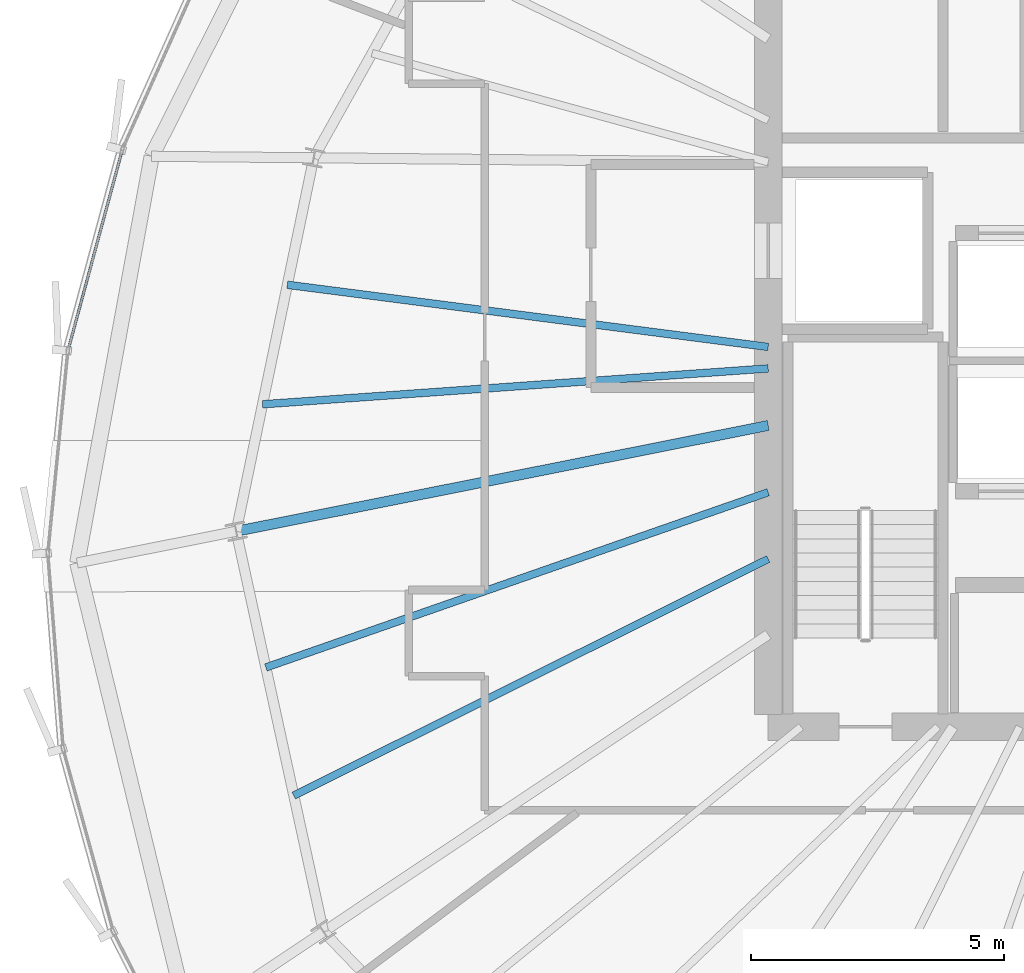
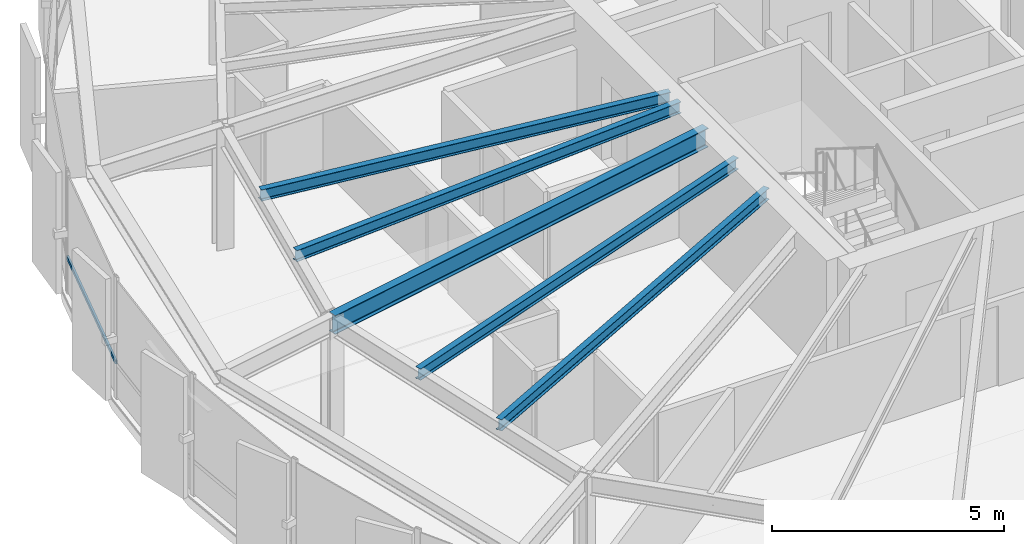
# One storey, part 9 of 34: 5 beams, 1 member, 1 element without a shape of its own.
"""IFC4 building model written with IfcOpenShell, lengths in metres."""

from ifc_helpers import new_model, si_unit, direction, frame, origin, origin_2d, place, context, subcontext, project, spatial, hollow_rectangle, i_section, extrude, source, transform, mapped, material, layer, layer_set, material_profile, profile_set, type_object, element, aggregate, save


model = new_model("IFC4")

# Units and contexts
model_context = context("Model", 3, precision=1e-05, world=origin(), true_north=direction((0.0, 1.0)))
body_context = subcontext(model_context, "Body", "Model", "MODEL_VIEW")
ifc_project = project(units=[si_unit("LENGTHUNIT", "METRE"), si_unit("AREAUNIT", "SQUARE_METRE"), si_unit("VOLUMEUNIT", "CUBIC_METRE"), si_unit("PLANEANGLEUNIT", "RADIAN"), si_unit("MASSUNIT", "GRAM", prefix="KILO"), si_unit("THERMODYNAMICTEMPERATUREUNIT", "KELVIN")], contexts=[model_context])

# Site, building, storey
site_placement = place(None, origin())
site = spatial("IfcSite", under=ifc_project, at=site_placement, CompositionType="ELEMENT")
building_placement = place(site_placement, origin())
building = spatial("IfcBuilding", under=site, at=building_placement, Name="Kethvar Cultural Tower", CompositionType="ELEMENT")
storey_placement = place(building_placement, frame((0.0, 0.0, 214.89990234375)))
storey = spatial("IfcBuildingStorey", under=building, at=storey_placement, Name="L56", CompositionType="ELEMENT", Elevation=214.89990234375)

# Beams
ifc_material_1 = material(Name="Steel S355J2", Category="steel")
ifc_material_profile_1 = material_profile(ifc_material_1, i_section(OverallWidth=0.199951171875, OverallDepth=0.5, WebThickness=0.01025390625, FlangeThickness=0.01611328125, FilletRadius=0.02099609375, at=origin_2d()), Name="Steel S355J2 — IPE500")
ifc_profile_set_1 = profile_set([ifc_material_profile_1], Name="Steel S355J2 — IPE500")
beam_type_1 = type_object("IfcBeamType", Name="BM-IPE500", PredefinedType="BEAM", material=ifc_profile_set_1)
shared_shape_1 = source(origin(), body_context, "Body", "SweptSolid", [
    extrude(i_section(OverallWidth=0.199951171875, OverallDepth=0.5, WebThickness=0.01025390625, FlangeThickness=0.01611328125, FilletRadius=0.02099609375, at=origin_2d()), origin(), (0.0, 0.0, 1.0), 10.712890625),
])
beam_1_placement = place(storey_placement, frame((38.0, 26.049560546875, 2.988037109375), z_axis=(-0.980787859831, -0.195077353908, 0.0), x_axis=(0.195077353908, -0.980787859831, 0.0)))
element("IfcBeam", 1, at=beam_1_placement, inside=storey, type_object=beam_type_1, Name="L56 Primary Radial Beam RB-09", PredefinedType="BEAM", context=body_context, shape_type="MappedRepresentation", body=[
    mapped(shared_shape_1, transform((0.0, 0.0, 0.0), scale=1.0)),
])
ifc_material_profile_2 = material_profile(ifc_material_1, i_section(OverallWidth=0.14990234375, OverallDepth=0.300048828125, WebThickness=0.007080078125, FlangeThickness=0.0107421875, FilletRadius=0.014892578125, at=origin_2d()), Name="Steel S355J2 — IPE300")
ifc_profile_set_2 = profile_set([ifc_material_profile_2], Name="Steel S355J2 — IPE300")
beam_type_2 = type_object("IfcBeamType", Name="BM-J300", PredefinedType="JOIST", material=ifc_profile_set_2)
shared_shape_2 = source(origin(), body_context, "Body", "SweptSolid", [
    extrude(i_section(OverallWidth=0.14990234375, OverallDepth=0.300048828125, WebThickness=0.007080078125, FlangeThickness=0.0107421875, FilletRadius=0.014892578125, at=origin_2d()), origin(), (0.0, 0.0, 1.0), 9.5751953125),
])
beam_2_placement = place(storey_placement, frame((38.0, 27.60009765625, 3.088134765625), z_axis=(-0.991744950922, 0.128226176424, 0.0), x_axis=(-0.128226176424, -0.991744950922, 0.0)))
element("IfcBeam", 2, at=beam_2_placement, inside=storey, type_object=beam_type_2, Name="L56 Composite Floor Joist J-08A", PredefinedType="JOIST", context=body_context, shape_type="MappedRepresentation", body=[
    mapped(shared_shape_2, transform((0.0, 0.0, 0.0), scale=1.0)),
])
shared_shape_3 = source(origin(), body_context, "Body", "SweptSolid", [
    extrude(i_section(OverallWidth=0.14990234375, OverallDepth=0.300048828125, WebThickness=0.007080078125, FlangeThickness=0.0107421875, FilletRadius=0.014892578125, at=origin_2d()), origin(), (0.0, 0.0, 1.0), 10.01123046875),
])
beam_3_placement = place(storey_placement, frame((38.0, 27.17578125, 3.088134765625), z_axis=(-0.997494349679, -0.070746182637, 0.0), x_axis=(0.070746182637, -0.997494349679, 0.0)))
element("IfcBeam", 3, at=beam_3_placement, inside=storey, type_object=beam_type_2, Name="L56 Composite Floor Joist J-08B", PredefinedType="JOIST", context=body_context, shape_type="MappedRepresentation", body=[
    mapped(shared_shape_3, transform((0.0, 0.0, 0.0), scale=1.0)),
])
shared_shape_4 = source(origin(), body_context, "Body", "SweptSolid", [
    extrude(i_section(OverallWidth=0.14990234375, OverallDepth=0.300048828125, WebThickness=0.007080078125, FlangeThickness=0.0107421875, FilletRadius=0.014892578125, at=origin_2d()), origin(), (0.0, 0.0, 1.0), 10.506591796875),
])
beam_4_placement = place(storey_placement, frame((38.0, 24.73095703125, 3.088134765625), z_axis=(-0.944221858738, -0.329310008171, 0.0), x_axis=(0.329310008171, -0.944221858738, 0.0)))
element("IfcBeam", 4, at=beam_4_placement, inside=storey, type_object=beam_type_2, Name="L56 Composite Floor Joist J-09A", PredefinedType="JOIST", context=body_context, shape_type="MappedRepresentation", body=[
    mapped(shared_shape_4, transform((0.0, 0.0, 0.0), scale=1.0)),
])
shared_shape_5 = source(origin(), body_context, "Body", "SweptSolid", [
    extrude(i_section(OverallWidth=0.14990234375, OverallDepth=0.300048828125, WebThickness=0.007080078125, FlangeThickness=0.0107421875, FilletRadius=0.014892578125, at=origin_2d()), origin(), (0.0, 0.0, 1.0), 10.468994140625),
])
beam_5_placement = place(storey_placement, frame((38.0, 23.412109375, 3.088134765625), z_axis=(-0.894916380948, -0.446233874904, 0.0), x_axis=(0.446233874904, -0.894916380948, 0.0)))
element("IfcBeam", 5, at=beam_5_placement, inside=storey, type_object=beam_type_2, Name="L56 Composite Floor Joist J-09B", PredefinedType="JOIST", context=body_context, shape_type="MappedRepresentation", body=[
    mapped(shared_shape_5, transform((0.0, 0.0, 0.0), scale=1.0)),
])

# Curtain wall, member
ifc_material_2 = material(Name="Aluminium 6063-T6", Category="aluminium")
ifc_layer = layer(ifc_material_2, 0.179931640625, Name="Aluminium 6063-T6", Category="aluminium")
ifc_layer_set = layer_set([ifc_layer], Name="Aluminium 6063-T6 (180 mm)")
curtain_wall_type = type_object("IfcCurtainWallType", Name="CW-SYS-04-Z34", PredefinedType="NOTDEFINED", material=ifc_layer_set)
curtain_wall_placement = place(storey_placement, origin())
curtain_wall = element("IfcCurtainWall", 6, at=curtain_wall_placement, inside=storey, type_object=curtain_wall_type, Name="L56 Curtain Wall Run 03", PredefinedType="NOTDEFINED")
ifc_material_profile_3 = material_profile(ifc_material_2, hollow_rectangle(XDim=0.050048828125, YDim=0.10009765625, WallThickness=0.00390625, at=origin_2d()), Name="Aluminium 6063-T6 — RHS100x50x4")
ifc_profile_set_3 = profile_set([ifc_material_profile_3], Name="Aluminium 6063-T6 — RHS100x50x4")
member_type = type_object("IfcMemberType", Name="CW-SYS-04-Z34-TRN", PredefinedType="USERDEFINED", material=ifc_profile_set_3)
shared_shape_6 = source(origin(), body_context, "Body", "SweptSolid", [
    extrude(hollow_rectangle(XDim=0.050048828125, YDim=0.10009765625, WallThickness=0.00390625, at=origin_2d()), origin(), (0.0, 0.0, 1.0), 4.080078125),
])
member_placement = place(storey_placement, frame((25.2431640625, 31.486572265625, 0.9501953125), z_axis=(-0.26124358549, -0.965272909099, 0.0), x_axis=(0.965272909099, -0.26124358549, 0.0)))
member = element("IfcMember", 7, at=member_placement, type_object=member_type, Name="CW-L56-R03 Transom 1", ObjectType="TRANSOM", PredefinedType="USERDEFINED", context=body_context, shape_type="MappedRepresentation", body=[
    mapped(shared_shape_6, transform((0.0, 0.0, 0.0), scale=1.0)),
])
aggregate(curtain_wall, [member])

save(model, "model.ifc")
